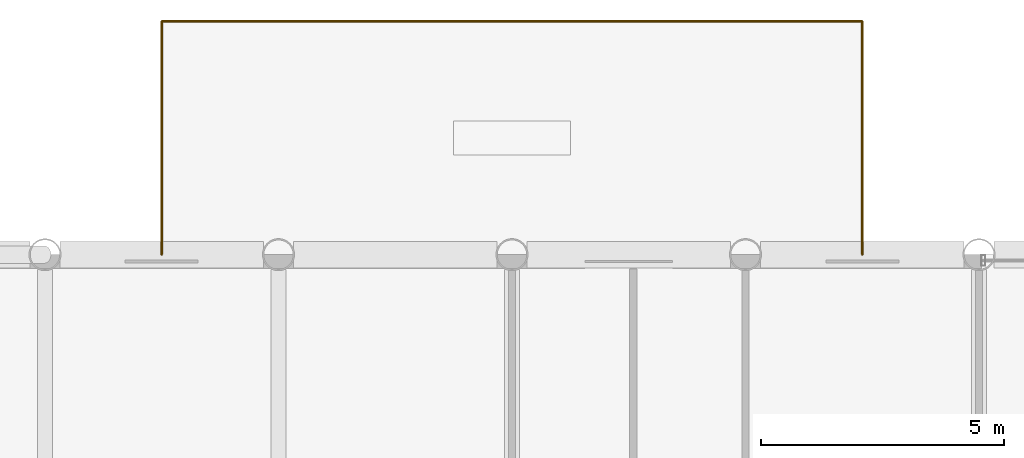
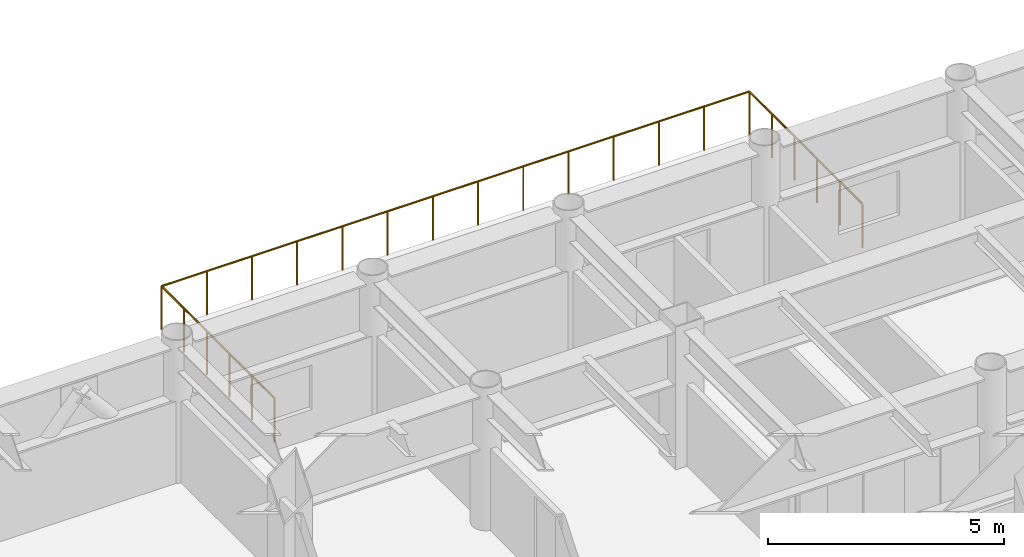
# One storey, part 22 of 22: 3 railings.
"""IFC4 building model written with IfcOpenShell, lengths in metres."""

import ifcopenshell
import ifcopenshell.guid

model = None  # the IFC model being written
_history = None  # IfcOwnerHistory: only IFC2X3 demands one
_inside = {}  # id of a spatial element -> (the spatial element, [elements in it])
_under = {}  # id of a project, library or spatial element -> (it, [spatial elements below it])
_declared = {}  # id of a project -> (the project, [libraries it declares])
_typed = {}  # id of a type object -> (the type object, [elements of that type])
_made_of = {}  # id of a material, layer set ... -> (it, [elements and type objects made of it])


def new_model(schema):
    """Start an empty IFC model of exactly this schema.

    Asked for "IFC4X3", IfcOpenShell would pick the latest addendum, in which some entities
    have other attributes; the version numbers below select the first issue.
    IFC2X3 requires an IfcOwnerHistory on every rooted entity: one is made here for all.
    """
    global model, _history
    if schema == "IFC4X3":
        model = ifcopenshell.file(schema_version=(4, 3, 0, 0))
    else:
        model = ifcopenshell.file(schema=schema)
    _inside.clear()
    _under.clear()
    _declared.clear()
    _typed.clear()
    _made_of.clear()
    _history = None
    if model.schema == "IFC2X3":
        org = make("IfcOrganization", Name="unknown")
        user = make(
            "IfcPersonAndOrganization",
            ThePerson=make("IfcPerson", FamilyName="unknown"),
            TheOrganization=org,
        )
        app = make(
            "IfcApplication",
            ApplicationDeveloper=org,
            Version="unknown",
            ApplicationFullName="unknown",
            ApplicationIdentifier="unknown",
        )
        _history = make(
            "IfcOwnerHistory",
            OwningUser=user,
            OwningApplication=app,
            ChangeAction="ADDED",
            CreationDate=0,
        )
    return model


def make(cls, **values):
    """One entity of the class cls with the attributes given. An attribute that is None is left unset."""
    return model.create_entity(
        cls, **{name: value for name, value in values.items() if value is not None}
    )


def rooted(cls, **values):
    """An entity with a GlobalId (a new one), such as an element, a storey or a relation."""
    return make(cls, GlobalId=ifcopenshell.guid.new(), OwnerHistory=_history, **values)


def si_unit(unit_type, name, prefix=None):
    """IfcSIUnit, for example si_unit("LENGTHUNIT", "METRE", prefix="MILLI")."""
    return make("IfcSIUnit", UnitType=unit_type, Prefix=prefix, Name=name)


def assignment(units):
    """IfcUnitAssignment: the units of a project."""
    return None if units is None else make("IfcUnitAssignment", Units=units)


def point(xyz):
    """IfcCartesianPoint."""
    return None if xyz is None else make("IfcCartesianPoint", Coordinates=xyz)


def direction(xyz):
    """IfcDirection."""
    return None if xyz is None else make("IfcDirection", DirectionRatios=xyz)


def frame(location, z_axis=None, x_axis=None):
    """IfcAxis2Placement3D, a coordinate frame: its origin and axes. An axis left out is left unset."""
    return make(
        "IfcAxis2Placement3D",
        Location=point(location),
        Axis=direction(z_axis),
        RefDirection=direction(x_axis),
    )


def frame_2d(location, x_axis=None):
    """IfcAxis2Placement2D, a coordinate frame in the plane: its origin and x axis."""
    return make(
        "IfcAxis2Placement2D", Location=point(location), RefDirection=direction(x_axis)
    )


def origin():
    """The frame at (0, 0, 0) with its axes left unset."""
    return frame((0.0, 0.0, 0.0))


def origin_2d():
    """The frame at (0, 0) in the plane with its x axis left unset."""
    return frame_2d((0.0, 0.0))


def place(relative_to, where):
    """IfcLocalPlacement: puts the frame where relative to a parent placement (None: the world)."""
    return make(
        "IfcLocalPlacement", PlacementRelTo=relative_to, RelativePlacement=where
    )


def context(
    kind, dimensions, precision=None, world=None, true_north=None, identifier=None
):
    """IfcGeometricRepresentationContext, for example the 3D "Model" context."""
    return make(
        "IfcGeometricRepresentationContext",
        ContextIdentifier=identifier,
        ContextType=kind,
        CoordinateSpaceDimension=dimensions,
        Precision=precision,
        WorldCoordinateSystem=world,
        TrueNorth=true_north,
    )


def subcontext(parent, identifier, kind, view, scale=None):
    """IfcGeometricRepresentationSubContext, for example "Body" below "Model"."""
    return make(
        "IfcGeometricRepresentationSubContext",
        ContextIdentifier=identifier,
        ContextType=kind,
        ParentContext=parent,
        TargetScale=scale,
        TargetView=view,
    )


def project(units=None, contexts=None):
    """IfcProject with its units and contexts."""
    return rooted(
        "IfcProject",
        Name="project",
        RepresentationContexts=contexts,
        UnitsInContext=assignment(units),
    )


def spatial(cls, under=None, at=None, **own):
    """A site, building, storey or space (cls), placed at a placement, below another one or the project."""
    s = rooted(cls, ObjectPlacement=at, **own)
    if under is not None:
        _under.setdefault(under.id(), (under, []))[1].append(s)
    return s


def profile(cls, at=None, kind="AREA", **sizes):
    """A parametric profile (cls). Its sizes go by their IFC names, for example OverallWidth=200.0."""
    return make(cls, ProfileType=kind, Position=at, **sizes)


def circle(**sizes):
    """IfcCircleProfileDef."""
    return profile("IfcCircleProfileDef", **sizes)


def extrude(swept, where, along, depth):
    """IfcExtrudedAreaSolid: the profile swept, set in the frame where, extruded along a direction by depth."""
    return make(
        "IfcExtrudedAreaSolid",
        SweptArea=swept,
        Position=where,
        ExtrudedDirection=direction(along),
        Depth=depth,
    )


def shape(context_of_items, identifier, shape_type, items):
    """IfcShapeRepresentation: the items that make up one representation, for example the "Body"."""
    return make(
        "IfcShapeRepresentation",
        ContextOfItems=context_of_items,
        RepresentationIdentifier=identifier,
        RepresentationType=shape_type,
        Items=items,
    )


def material(Name=None, Category=None):
    """IfcMaterial."""
    return make("IfcMaterial", Name=Name, Category=Category)


def layer(
    of_material, thickness, ventilated=None, Name=None, Category=None, Priority=None
):
    """IfcMaterialLayer: one layer of a wall or slab, of a material (None: an air gap)."""
    return make(
        "IfcMaterialLayer",
        Material=of_material,
        LayerThickness=thickness,
        IsVentilated=ventilated,
        Name=Name,
        Category=Category,
        Priority=Priority,
    )


def layer_set(layers, Name=None):
    """IfcMaterialLayerSet."""
    return make("IfcMaterialLayerSet", MaterialLayers=layers, LayerSetName=Name)


def made_of(thing, what):
    """Note that an element or type object is made of a material, layer set ...; save() writes the relation."""
    if what is not None:
        _made_of.setdefault(what.id(), (what, []))[1].append(thing)
    return thing


def type_object(cls, material=None, **own):
    """A type object (cls), such as IfcWallType, which elements share."""
    return made_of(rooted(cls, **own), material)


def element(
    cls,
    number,
    at=None,
    inside=None,
    cuts=None,
    type_object=None,
    material=None,
    context=None,
    identifier="Body",
    shape_type=None,
    held_by="IfcProductDefinitionShape",
    body=None,
    shapes=None,
    **own,
):
    """One element of the class cls, such as IfcWall. Its Tag is "e" and its number.

    at: its placement. inside: the storey or other place that contains it. cuts: it is an
    opening in that element (IfcRelVoidsElement). A single representation is given by context,
    identifier, shape_type and body (its items); several are given by shapes. held_by: the class
    of the entity that holds the representations. save() writes the other relations.
    """
    e = rooted(cls, Tag="e%d" % number, ObjectPlacement=at, **own)
    if body is not None:
        shapes = [shape(context, identifier, shape_type, body)]
    if shapes is not None:
        e.Representation = make(held_by, Representations=shapes)
    if inside is not None:
        _inside.setdefault(inside.id(), (inside, []))[1].append(e)
    if cuts is not None:
        rooted(
            "IfcRelVoidsElement", RelatingBuildingElement=cuts, RelatedOpeningElement=e
        )
    if type_object is not None:
        _typed.setdefault(type_object.id(), (type_object, []))[1].append(e)
    return made_of(e, material)


def aggregate(whole, parts):
    """IfcRelAggregates: a whole, such as a stair, and the parts it consists of."""
    return rooted("IfcRelAggregates", RelatingObject=whole, RelatedObjects=parts)


def save(model, path):
    """Write the relations noted so far, then the file.

    IfcRelAggregates (storeys below a building ...), IfcRelContainedInSpatialStructure (elements
    in a storey), IfcRelDefinesByType, IfcRelAssociatesMaterial and IfcRelDeclares: one each for
    every whole, place, type object, material and project.
    """
    for whole, parts in _under.values():
        aggregate(whole, parts)
    for where, things in _inside.values():
        rooted(
            "IfcRelContainedInSpatialStructure",
            RelatedElements=things,
            RelatingStructure=where,
        )
    for kind, things in _typed.values():
        rooted("IfcRelDefinesByType", RelatedObjects=things, RelatingType=kind)
    for what, things in _made_of.values():
        rooted("IfcRelAssociatesMaterial", RelatedObjects=things, RelatingMaterial=what)
    for by, libraries in _declared.values():
        rooted("IfcRelDeclares", RelatingContext=by, RelatedDefinitions=libraries)
    model.write(path)


model = new_model("IFC4")

# Units and contexts
model_context = context("Model", 3, precision=1e-05, world=origin(), true_north=direction((0.0, 1.0)))
body_context = subcontext(model_context, "Body", "Model", "MODEL_VIEW")
ifc_project = project(units=[si_unit("LENGTHUNIT", "METRE"), si_unit("AREAUNIT", "SQUARE_METRE"), si_unit("VOLUMEUNIT", "CUBIC_METRE"), si_unit("PLANEANGLEUNIT", "RADIAN"), si_unit("MASSUNIT", "GRAM", prefix="KILO")], contexts=[model_context])

# Site, building, storey
site_placement = place(None, origin())
site = spatial("IfcSite", under=ifc_project, at=site_placement, CompositionType="ELEMENT")
building_placement = place(site_placement, origin())
building = spatial("IfcBuilding", under=site, at=building_placement, Name="Kallvorn Hotel Tower", CompositionType="ELEMENT")
storey_placement = place(building_placement, frame((0.0, 0.0, 154.39990234375)))
storey = spatial("IfcBuildingStorey", under=building, at=storey_placement, Name="L38", CompositionType="ELEMENT", Elevation=154.39990234375)

# Railings
ifc_material = material(Name="Galvanised painted steel S275JR balustrade", Category="steel")
ifc_layer = layer(ifc_material, 0.06005859375)
ifc_layer_set = layer_set([ifc_layer], Name="RL_BALUSTRADE_1150")
railing_type = type_object("IfcRailingType", Name="RL_BALUSTRADE_1150", PredefinedType="BALUSTRADE", material=ifc_layer_set)
railing_1_placement = place(storey_placement, frame((-21.60009765625, 19.199951171875, 0.0)))
element("IfcRailing", 1, at=railing_1_placement, inside=storey, type_object=railing_type, Name="L38 Exterior Safety Guardrail TER-L38-N-01", PredefinedType="BALUSTRADE", context=body_context, shape_type="SweptSolid", body=[
    extrude(circle(Radius=0.02392578125, at=origin_2d()), frame((0.0, 0.0, 1.1259765625), z_axis=(0.0, 1.0, 0.0), x_axis=(-1.0, 0.0, 0.0)), (0.0, 0.0, 1.0), 4.800048828125),
    extrude(circle(Radius=0.02099609375, at=origin_2d()), origin(), (0.0, 0.0, 1.0), 1.101806640625),
    extrude(circle(Radius=0.02099609375, at=origin_2d()), frame((0.0, 0.9599609375, 0.0)), (0.0, 0.0, 1.0), 1.101806640625),
    extrude(circle(Radius=0.02099609375, at=origin_2d()), frame((0.0, 1.919921875, 0.0)), (0.0, 0.0, 1.0), 1.101806640625),
    extrude(circle(Radius=0.02099609375, at=origin_2d()), frame((0.0, 2.880126953125, 0.0)), (0.0, 0.0, 1.0), 1.101806640625),
    extrude(circle(Radius=0.02099609375, at=origin_2d()), frame((0.0, 3.840087890625, 0.0)), (0.0, 0.0, 1.0), 1.101806640625),
    extrude(circle(Radius=0.02099609375, at=origin_2d()), frame((0.0, 4.800048828125, 0.0)), (0.0, 0.0, 1.0), 1.101806640625),
])
railing_2_placement = place(storey_placement, frame((-21.60009765625, 24.0, 0.0)))
element("IfcRailing", 2, at=railing_2_placement, inside=storey, type_object=railing_type, Name="L38 Exterior Safety Guardrail TER-L38-N-02", PredefinedType="BALUSTRADE", context=body_context, shape_type="SweptSolid", body=[
    extrude(circle(Radius=0.02392578125, at=origin_2d()), frame((0.0, 0.0, 1.1259765625), z_axis=(1.0, 0.0, 0.0), x_axis=(0.0, 1.0, 0.0)), (0.0, 0.0, 1.0), 14.400146484375),
    extrude(circle(Radius=0.02099609375, at=origin_2d()), origin(), (0.0, 0.0, 1.0), 1.101806640625),
    extrude(circle(Radius=0.02099609375, at=origin_2d()), frame((1.107666015625, 0.0, 0.0)), (0.0, 0.0, 1.0), 1.101806640625),
    extrude(circle(Radius=0.02099609375, at=origin_2d()), frame((2.21533203125, 0.0, 0.0)), (0.0, 0.0, 1.0), 1.101806640625),
    extrude(circle(Radius=0.02099609375, at=origin_2d()), frame((3.322998046875, 0.0, 0.0)), (0.0, 0.0, 1.0), 1.101806640625),
    extrude(circle(Radius=0.02099609375, at=origin_2d()), frame((4.430908203125, 0.0, 0.0)), (0.0, 0.0, 1.0), 1.101806640625),
    extrude(circle(Radius=0.02099609375, at=origin_2d()), frame((5.53857421875, 0.0, 0.0)), (0.0, 0.0, 1.0), 1.101806640625),
    extrude(circle(Radius=0.02099609375, at=origin_2d()), frame((6.646240234375, 0.0, 0.0)), (0.0, 0.0, 1.0), 1.101806640625),
    extrude(circle(Radius=0.02099609375, at=origin_2d()), frame((7.75390625, 0.0, 0.0)), (0.0, 0.0, 1.0), 1.101806640625),
    extrude(circle(Radius=0.02099609375, at=origin_2d()), frame((8.861572265625, 0.0, 0.0)), (0.0, 0.0, 1.0), 1.101806640625),
    extrude(circle(Radius=0.02099609375, at=origin_2d()), frame((9.96923828125, 0.0, 0.0)), (0.0, 0.0, 1.0), 1.101806640625),
    extrude(circle(Radius=0.02099609375, at=origin_2d()), frame((11.0771484375, 0.0, 0.0)), (0.0, 0.0, 1.0), 1.101806640625),
    extrude(circle(Radius=0.02099609375, at=origin_2d()), frame((12.184814453125, 0.0, 0.0)), (0.0, 0.0, 1.0), 1.101806640625),
    extrude(circle(Radius=0.02099609375, at=origin_2d()), frame((13.29248046875, 0.0, 0.0)), (0.0, 0.0, 1.0), 1.101806640625),
    extrude(circle(Radius=0.02099609375, at=origin_2d()), frame((14.400146484375, 0.0, 0.0)), (0.0, 0.0, 1.0), 1.101806640625),
])
railing_3_placement = place(storey_placement, frame((-7.199951171875, 24.0, 0.0)))
element("IfcRailing", 3, at=railing_3_placement, inside=storey, type_object=railing_type, Name="L38 Exterior Safety Guardrail TER-L38-N-03", PredefinedType="BALUSTRADE", context=body_context, shape_type="SweptSolid", body=[
    extrude(circle(Radius=0.02392578125, at=origin_2d()), frame((0.0, 0.0, 1.1259765625), z_axis=(0.0, -1.0, 0.0), x_axis=(1.0, 0.0, 0.0)), (0.0, 0.0, 1.0), 4.800048828125),
    extrude(circle(Radius=0.02099609375, at=origin_2d()), origin(), (0.0, 0.0, 1.0), 1.101806640625),
    extrude(circle(Radius=0.02099609375, at=origin_2d()), frame((0.0, -0.9599609375, 0.0)), (0.0, 0.0, 1.0), 1.101806640625),
    extrude(circle(Radius=0.02099609375, at=origin_2d()), frame((0.0, -1.919921875, 0.0)), (0.0, 0.0, 1.0), 1.101806640625),
    extrude(circle(Radius=0.02099609375, at=origin_2d()), frame((0.0, -2.880126953125, 0.0)), (0.0, 0.0, 1.0), 1.101806640625),
    extrude(circle(Radius=0.02099609375, at=origin_2d()), frame((0.0, -3.840087890625, 0.0)), (0.0, 0.0, 1.0), 1.101806640625),
    extrude(circle(Radius=0.02099609375, at=origin_2d()), frame((0.0, -4.800048828125, 0.0)), (0.0, 0.0, 1.0), 1.101806640625),
])

save(model, "model.ifc")
